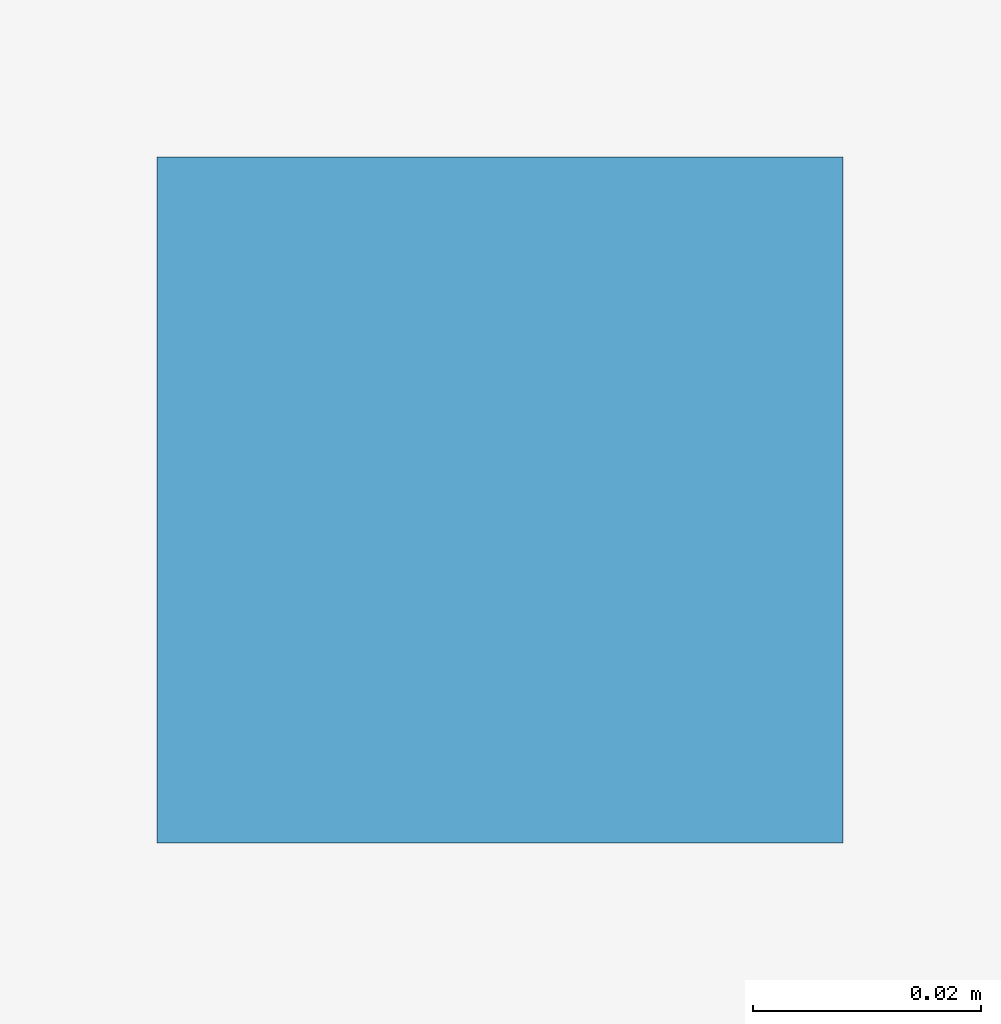
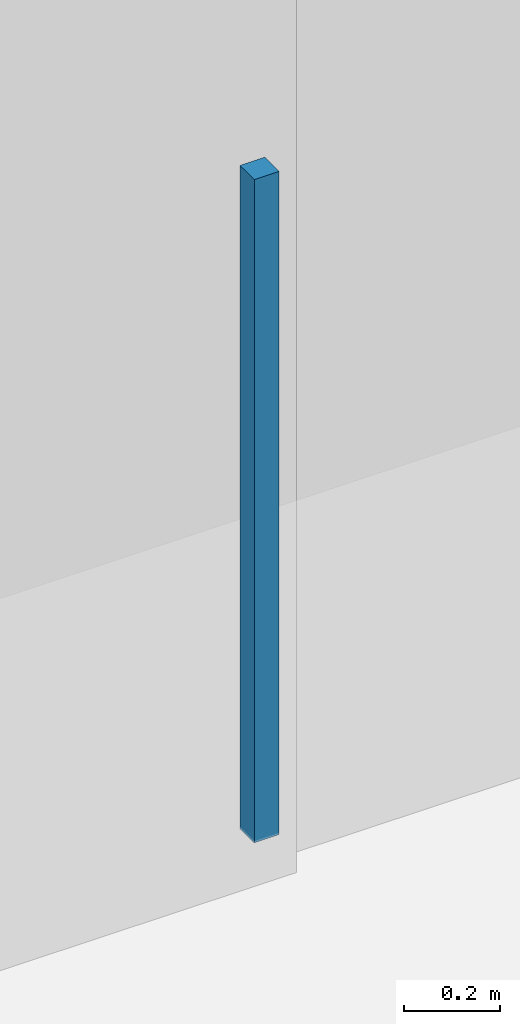
# One storey, part 99 of 119: 1 discrete accessory.
"""IFC4 building model written with IfcOpenShell, lengths in metres."""

from ifc_helpers import new_model, si_unit, derived_unit, direction, frame, origin, origin_2d, place, context, subcontext, project, spatial, rectangle, extrude, material, layer, layer_set, type_object, element, save


model = new_model("IFC4")

# Units and contexts
model_context = context("Model", 3, precision=1e-05, world=origin(), true_north=direction((0.0, 1.0)))
body_context = subcontext(model_context, "Body", "Model", "MODEL_VIEW")
ifc_project = project(units=[si_unit("LENGTHUNIT", "METRE"), si_unit("AREAUNIT", "SQUARE_METRE"), si_unit("VOLUMEUNIT", "CUBIC_METRE"), si_unit("PLANEANGLEUNIT", "RADIAN"), si_unit("MASSUNIT", "GRAM", prefix="KILO"), derived_unit("THERMALTRANSMITTANCEUNIT", [(si_unit("MASSUNIT", "GRAM", prefix="KILO"), 1), (si_unit("TIMEUNIT", "SECOND"), -3), (si_unit("THERMODYNAMICTEMPERATUREUNIT", "KELVIN"), -1)])], contexts=[model_context])

# Site, building, storey
site_placement = place(None, origin())
site = spatial("IfcSite", under=ifc_project, at=site_placement, CompositionType="ELEMENT")
building_placement = place(site_placement, origin())
building = spatial("IfcBuilding", under=site, at=building_placement, Name="Makaiwela Harbour Ferry Terminal", CompositionType="ELEMENT")
storey_placement = place(building_placement, origin())
storey = spatial("IfcBuildingStorey", under=building, at=storey_placement, Name="L00", CompositionType="ELEMENT", Elevation=0.0)

# Discrete accessory
ifc_material = material(Name="Marine grade 316L brushed stainless steel", Category="steel")
ifc_layer = layer(ifc_material, 1.0)
ifc_layer_set = layer_set([ifc_layer], Name="Marine grade 316L brushed stainless steel")
discrete_accessory_type = type_object("IfcDiscreteAccessoryType", Name="INT-ACC-HNG", PredefinedType="BRACKET", material=ifc_layer_set)
discrete_accessory_placement = place(storey_placement, frame((89.89990234375, 53.60009765625, 3.135009765625), z_axis=(0.0, 0.0, 1.0), x_axis=(1.0, 0.0, 0.0)))
element("IfcDiscreteAccessory", 1, at=discrete_accessory_placement, inside=storey, type_object=discrete_accessory_type, Name="Ceiling Suspension Bracket HNG-018", PredefinedType="BRACKET", context=body_context, shape_type="SweptSolid", body=[
    extrude(rectangle(XDim=0.06005859375, YDim=0.06005859375, at=origin_2d()), origin(), (0.0, 0.0, 1.0), 1.68994140625),
])

save(model, "model.ifc")
